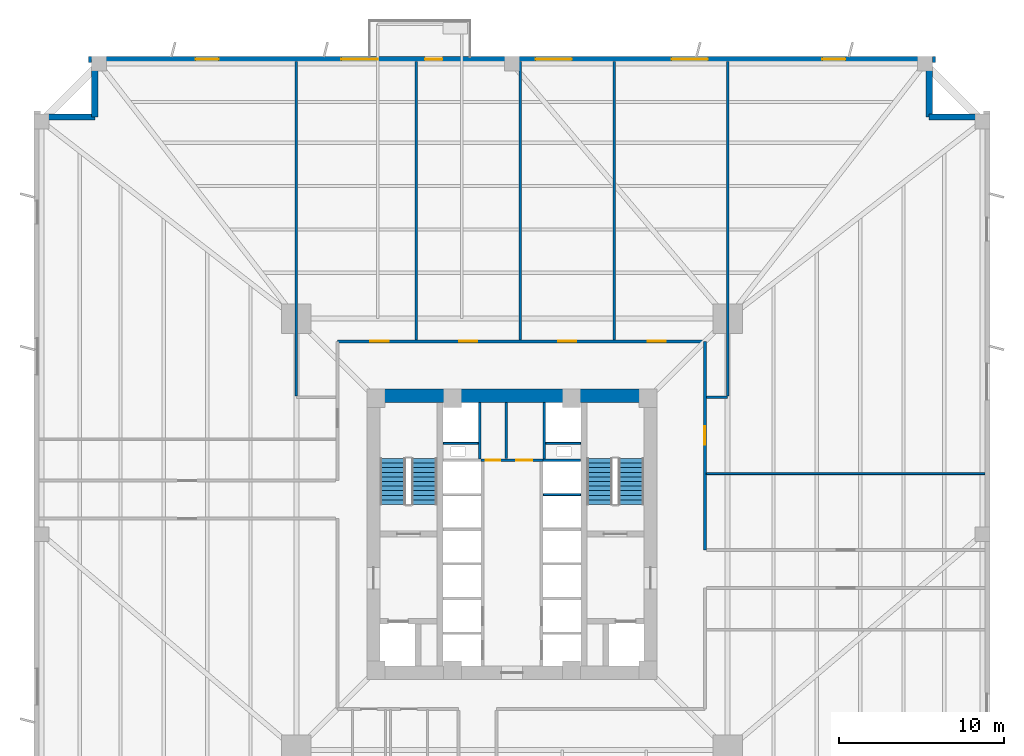
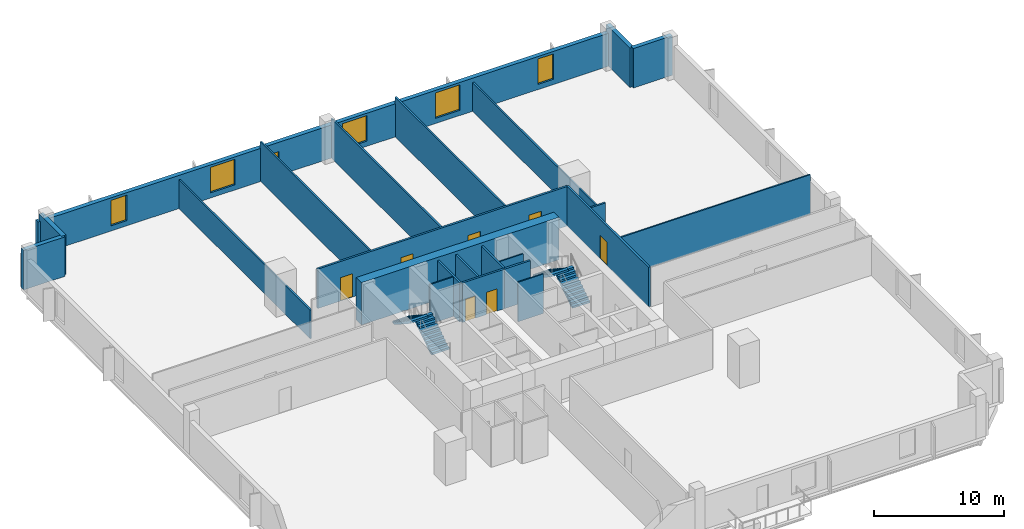
# One storey, part 4 of 8: 23 walls, 8 doors, 5 windows, 4 stair flights, 13 openings, 2 elements without a shape of their own.
"""IFC4 building model written with IfcOpenShell, lengths in metres."""

from ifc_helpers import new_model, si_unit, direction, frame, frame_2d, origin, place, context, subcontext, project, spatial, polyline, rectangle, outline, extrude, source, transform, mapped, material, layer, layer_set, type_object, element, fill, aggregate, save


model = new_model("IFC4")

# Units and contexts
model_context = context("Model", 3, precision=1e-05, world=origin(), true_north=direction((0.0, 1.0)))
body_context = subcontext(model_context, "Body", "Model", "MODEL_VIEW")
ifc_project = project(units=[si_unit("LENGTHUNIT", "METRE"), si_unit("AREAUNIT", "SQUARE_METRE"), si_unit("VOLUMEUNIT", "CUBIC_METRE"), si_unit("PLANEANGLEUNIT", "RADIAN"), si_unit("MASSUNIT", "GRAM", prefix="KILO"), si_unit("THERMODYNAMICTEMPERATUREUNIT", "KELVIN")], contexts=[model_context])

# Site, building, storey
site_placement = place(None, origin())
site = spatial("IfcSite", under=ifc_project, at=site_placement, CompositionType="ELEMENT")
building_placement = place(site_placement, origin())
building = spatial("IfcBuilding", under=site, at=building_placement, Name="Kosmvard Interchange Tower", CompositionType="ELEMENT")
storey_placement = place(building_placement, frame((0.0, 0.0, 38.0)))
storey = spatial("IfcBuildingStorey", under=building, at=storey_placement, Name="L08", CompositionType="ELEMENT", Elevation=38.0)

# Walls
ifc_material_1 = material(Name="Acoustic gypsum partition system")
ifc_layer_1 = layer(ifc_material_1, 0.14990234375, Name="Acoustic gypsum partition system")
ifc_layer_set_1 = layer_set([ifc_layer_1], Name="Acoustic gypsum partition system")
wall_type_1 = type_object("IfcWallType", Name="Acoustic Suite & Meeting Partition 150", PredefinedType="PARTITIONING", material=ifc_layer_set_1)
wall_1_placement = place(storey_placement, frame((-13.0810546875, 8.375, 0.0), z_axis=(0.0, 0.0, 1.0), x_axis=(0.0, 1.0, 0.0)))
element("IfcWall", 1, at=wall_1_placement, inside=storey, type_object=wall_type_1, Name="L08 Room Partition 02.1", PredefinedType="PARTITIONING", context=body_context, shape_type="SweptSolid", body=[
    extrude(rectangle(XDim=20.31005859375, YDim=0.14990234375, at=frame_2d((10.155029296875, 0.0))), origin(), (0.0, 0.0, 1.0), 2.7119140625),
])
for number, where, z_axis, x_axis, name in (
    (2, (-5.800048828125, 11.794921875, 0.0), (0.0, 0.0, 1.0), (0.0, 1.0, 0.0), "L08 Room Partition 03.1"),
    (3, (0.5, 11.794921875, 0.0), (0.0, 0.0, 1.0), (0.0, 1.0, 0.0), "L08 Room Partition 04.1"),
    (4, (6.199951171875, 11.794921875, 0.0), (0.0, 0.0, 1.0), (0.0, 1.0, 0.0), "L08 Room Partition 05.1"),
):
    element("IfcWall", number, at=place(storey_placement, frame(where, z_axis=z_axis, x_axis=x_axis)), inside=storey, type_object=wall_type_1, Name=name, PredefinedType="PARTITIONING", context=body_context, shape_type="SweptSolid", body=[
        extrude(rectangle(XDim=16.89013671875, YDim=0.14990234375, at=frame_2d((8.445068359375, 0.0))), origin(), (0.0, 0.0, 1.0), 3.719970703125),
    ])
wall_2_placement = place(storey_placement, frame((11.794921875, 8.300048828125, 0.0), z_axis=(0.0, 0.0, 1.0), x_axis=(1.0, 0.0, 0.0)))
element("IfcWall", 5, at=wall_2_placement, inside=storey, type_object=wall_type_1, Name="L08 Room Partition 06.1", PredefinedType="PARTITIONING", context=body_context, shape_type="SweptSolid", body=[
    extrude(rectangle(XDim=1.2861328125, YDim=0.14990234375, at=frame_2d((0.64306640625, 0.0))), origin(), (0.0, 0.0, 1.0), 3.719970703125),
])
wall_3_placement = place(storey_placement, frame((13.0810546875, 8.375, 0.0), z_axis=(0.0, 0.0, 1.0), x_axis=(0.0, 1.0, 0.0)))
element("IfcWall", 6, at=wall_3_placement, inside=storey, type_object=wall_type_1, Name="L08 Room Partition 07.1", PredefinedType="PARTITIONING", context=body_context, shape_type="SweptSolid", body=[
    extrude(rectangle(XDim=20.31005859375, YDim=0.14990234375, at=frame_2d((10.155029296875, 0.0))), origin(), (0.0, 0.0, 1.0), 2.7119140625),
])
ifc_material_2 = material(Name="Fire-rated gypsum partition system")
ifc_layer_2 = layer(ifc_material_2, 0.159912109375, Name="Fire-rated gypsum partition system")
ifc_layer_set_2 = layer_set([ifc_layer_2], Name="Fire-rated gypsum partition system")
wall_type_2 = type_object("IfcWallType", Name="Core Compartment & Shuttle Lobby Partition 160", PredefinedType="PARTITIONING", material=ifc_layer_set_2)
for number, where, z_axis, x_axis, name in (
    (7, (-1.9599609375, 4.580078125, 0.0), (0.0, 0.0, 1.0), (0.0, 1.0, 0.0), "L08 North Core West Wall"),
    (8, (1.9599609375, 4.580078125, 0.0), (0.0, 0.0, 1.0), (0.0, 1.0, 0.0), "L08 North Core East Wall"),
):
    element("IfcWall", number, at=place(storey_placement, frame(where, z_axis=z_axis, x_axis=x_axis)), inside=storey, type_object=wall_type_2, Name=name, PredefinedType="PARTITIONING", context=body_context, shape_type="SweptSolid", body=[
        extrude(rectangle(XDim=3.39990234375, YDim=0.159912109375, at=frame_2d((1.699951171875, 0.0))), origin(), (0.0, 0.0, 1.0), 3.719970703125),
    ])
ifc_material_3 = material(Name="Concrete blockwork masonry", Category="masonry")
ifc_layer_3 = layer(ifc_material_3, 0.159912109375, Name="Concrete blockwork masonry")
ifc_layer_set_3 = layer_set([ifc_layer_3], Name="Concrete blockwork masonry")
wall_type_3 = type_object("IfcWallType", Name="Core Enclosure Split Wall 160", PredefinedType="PARTITIONING", material=ifc_layer_set_3)
wall_4_placement = place(storey_placement, frame((-0.35009765625, 4.60009765625, 0.0), z_axis=(0.0, 0.0, 1.0), x_axis=(0.0, 1.0, 0.0)))
element("IfcWall", 9, at=wall_4_placement, inside=storey, type_object=wall_type_3, Name="L08 Core K2 Split Wall", PredefinedType="PARTITIONING", context=body_context, shape_type="SweptSolid", body=[
    extrude(rectangle(XDim=3.3798828125, YDim=0.159912109375, at=frame_2d((1.68994140625, 0.0))), origin(), (0.0, 0.0, 1.0), 3.719970703125),
])

# Wall, openings, doors
ifc_layer_4 = layer(ifc_material_2, 0.179931640625, Name="Fire-rated gypsum partition system")
ifc_layer_set_4 = layer_set([ifc_layer_4], Name="Fire-rated gypsum partition system")
wall_type_4 = type_object("IfcWallType", Name="Corridor & Hotel Compartment Partition 180", PredefinedType="PARTITIONING", material=ifc_layer_set_4)
wall_5_placement = place(storey_placement, frame((-1.8798828125, 4.489990234375, 0.0), z_axis=(0.0, 0.0, 1.0), x_axis=(1.0, 0.0, 0.0)))
wall_5 = element("IfcWall", 10, at=wall_5_placement, inside=storey, type_object=wall_type_4, Name="L08 Lift Lobby North Partition", PredefinedType="PARTITIONING", context=body_context, shape_type="SweptSolid", body=[
    extrude(rectangle(XDim=3.759765625, YDim=0.179931640625, at=frame_2d((1.8798828125, 0.0))), origin(), (0.0, 0.0, 1.0), 3.719970703125),
])
opening_1_placement = place(wall_5_placement, frame((0.280029296875, 0.0, 0.0)))
opening_1 = element("IfcOpeningElement", 11, at=opening_1_placement, cuts=wall_5, Name="Opening L08-KD1", PredefinedType="OPENING", context=body_context, shape_type="SweptSolid", body=[
    extrude(rectangle(XDim=0.8798828125, YDim=2.10009765625, at=frame_2d((0.43994140625, 1.050048828125))), frame((0.0, 0.10009765625, 0.0), z_axis=(0.0, -1.0, 0.0), x_axis=(1.0, 0.0, 0.0)), (0.0, 0.0, 1.0), 0.199951171875),
])
opening_2_placement = place(wall_5_placement, frame((2.14990234375, 0.0, 0.0)))
opening_2 = element("IfcOpeningElement", 12, at=opening_2_placement, cuts=wall_5, Name="Opening L08-KD2", PredefinedType="OPENING", context=body_context, shape_type="SweptSolid", body=[
    extrude(rectangle(XDim=0.949951171875, YDim=2.10009765625, at=frame_2d((0.47509765625, 1.050048828125))), frame((0.0, 0.10009765625, 0.0), z_axis=(0.0, -1.0, 0.0), x_axis=(1.0, 0.0, 0.0)), (0.0, 0.0, 1.0), 0.199951171875),
])
ifc_material_4 = material(Name="Painted fire-rated timber leaf", Category="wood")
door_type_1 = type_object("IfcDoorType", Name="Core Service Fire Door 950x2100 EI30", OperationType="NOTDEFINED", PredefinedType="DOOR", material=ifc_material_4)
shared_shape_1 = source(origin(), body_context, "Body", "SweptSolid", [
    extrude(rectangle(XDim=0.949951171875, YDim=2.10009765625, at=frame_2d((0.47509765625, 1.050048828125))), frame((0.0, 0.02490234375, 0.0), z_axis=(0.0, -1.0, 0.0), x_axis=(1.0, 0.0, 0.0)), (0.0, 0.0, 1.0), 0.050048828125),
])
door_1_placement = place(opening_2_placement, origin())
door_1 = element("IfcDoor", 13, at=door_1_placement, inside=storey, type_object=door_type_1, Name="L08 Core Tea Pantry Door", OperationType="SINGLE_SWING_RIGHT", OverallHeight=2.10009765625, OverallWidth=0.949951171875, PredefinedType="DOOR", context=body_context, shape_type="MappedRepresentation", body=[
    mapped(shared_shape_1, transform((0.0, 0.0, 0.0), scale=1.0)),
])
fill(opening_2, door_1)
door_type_2 = type_object("IfcDoorType", Name="Core Cupboard Fire Door 880x2100 EI30", OperationType="NOTDEFINED", PredefinedType="DOOR", material=ifc_material_4)
shared_shape_2 = source(origin(), body_context, "Body", "SweptSolid", [
    extrude(rectangle(XDim=0.8798828125, YDim=2.10009765625, at=frame_2d((0.43994140625, 1.050048828125))), frame((0.0, 0.02490234375, 0.0), z_axis=(0.0, -1.0, 0.0), x_axis=(1.0, 0.0, 0.0)), (0.0, 0.0, 1.0), 0.050048828125),
])
door_2_placement = place(opening_1_placement, origin())
door_2 = element("IfcDoor", 14, at=door_2_placement, inside=storey, type_object=door_type_2, Name="L08 Core Cleaner Cupboard Door", OperationType="SINGLE_SWING_LEFT", OverallHeight=2.10009765625, OverallWidth=0.8798828125, PredefinedType="DOOR", context=body_context, shape_type="MappedRepresentation", body=[
    mapped(shared_shape_2, transform((0.0, 0.0, 0.0), scale=1.0)),
])
fill(opening_1, door_2)

wall_6_placement = place(storey_placement, frame((-10.60009765625, 11.699951171875, 0.0), z_axis=(0.0, 0.0, 1.0), x_axis=(1.0, 0.0, 0.0)))
wall_6 = element("IfcWall", 15, at=wall_6_placement, inside=storey, type_object=wall_type_4, Name="L08 Corridor Wall CN", PredefinedType="PARTITIONING", context=body_context, shape_type="SweptSolid", body=[
    extrude(rectangle(XDim=22.300048828125, YDim=0.179931640625, at=frame_2d((11.14990234375, 0.0))), origin(), (0.0, 0.0, 1.0), 3.719970703125),
])
opening_3_placement = place(wall_6_placement, frame((2.014404296875, 0.0, 0.0)))
opening_3 = element("IfcOpeningElement", 16, at=opening_3_placement, cuts=wall_6, Name="Opening L08-D05", PredefinedType="OPENING", context=body_context, shape_type="SweptSolid", body=[
    extrude(rectangle(XDim=1.10009765625, YDim=2.199951171875, at=frame_2d((0.550048828125, 1.10009765625))), frame((0.0, 0.10009765625, 0.0), z_axis=(0.0, -1.0, 0.0), x_axis=(1.0, 0.0, 0.0)), (0.0, 0.0, 1.0), 0.199951171875),
])
opening_4_placement = place(wall_6_placement, frame((7.39990234375, 0.0, 0.0)))
opening_4 = element("IfcOpeningElement", 17, at=opening_4_placement, cuts=wall_6, Name="Opening L08-D06", PredefinedType="OPENING", context=body_context, shape_type="SweptSolid", body=[
    extrude(rectangle(XDim=1.10009765625, YDim=2.199951171875, at=frame_2d((0.550048828125, 1.10009765625))), frame((0.0, 0.10009765625, 0.0), z_axis=(0.0, -1.0, 0.0), x_axis=(1.0, 0.0, 0.0)), (0.0, 0.0, 1.0), 0.199951171875),
])
opening_5_placement = place(wall_6_placement, frame((13.39990234375, 0.0, 0.0)))
opening_5 = element("IfcOpeningElement", 18, at=opening_5_placement, cuts=wall_6, Name="Opening L08-D07", PredefinedType="OPENING", context=body_context, shape_type="SweptSolid", body=[
    extrude(rectangle(XDim=1.10009765625, YDim=2.199951171875, at=frame_2d((0.550048828125, 1.10009765625))), frame((0.0, 0.10009765625, 0.0), z_axis=(0.0, -1.0, 0.0), x_axis=(1.0, 0.0, 0.0)), (0.0, 0.0, 1.0), 0.199951171875),
])
opening_6_placement = place(wall_6_placement, frame((18.83544921875, 0.0, 0.0)))
opening_6 = element("IfcOpeningElement", 19, at=opening_6_placement, cuts=wall_6, Name="Opening L08-D08", PredefinedType="OPENING", context=body_context, shape_type="SweptSolid", body=[
    extrude(rectangle(XDim=1.10009765625, YDim=2.199951171875, at=frame_2d((0.550048828125, 1.10009765625))), frame((0.0, 0.10009765625, 0.0), z_axis=(0.0, -1.0, 0.0), x_axis=(1.0, 0.0, 0.0)), (0.0, 0.0, 1.0), 0.199951171875),
])
ifc_material_5 = material(Name="Engineered oak fire-rated timber", Category="wood")
door_type_3 = type_object("IfcDoorType", Name="Office Suite Entrance Door 1100x2200 FD30S", OperationType="NOTDEFINED", PredefinedType="DOOR", material=ifc_material_5)
shared_shape_3 = source(origin(), body_context, "Body", "SweptSolid", [
    extrude(rectangle(XDim=1.10009765625, YDim=2.199951171875, at=frame_2d((0.550048828125, 1.10009765625))), frame((0.0, 0.02490234375, 0.0), z_axis=(0.0, -1.0, 0.0), x_axis=(1.0, 0.0, 0.0)), (0.0, 0.0, 1.0), 0.050048828125),
])
door_3_placement = place(opening_3_placement, origin())
door_3 = element("IfcDoor", 20, at=door_3_placement, inside=storey, type_object=door_type_3, Name="L08 North Cellular Office 3 Door", OperationType="SINGLE_SWING_LEFT", OverallHeight=2.199951171875, OverallWidth=1.10009765625, PredefinedType="DOOR", context=body_context, shape_type="MappedRepresentation", body=[
    mapped(shared_shape_3, transform((0.0, 0.0, 0.0), scale=1.0)),
])
fill(opening_3, door_3)
door_4_placement = place(opening_4_placement, origin())
door_4 = element("IfcDoor", 21, at=door_4_placement, inside=storey, type_object=door_type_3, Name="L08 North Cellular Office 4 Door", OperationType="SINGLE_SWING_RIGHT", OverallHeight=2.199951171875, OverallWidth=1.10009765625, PredefinedType="DOOR", context=body_context, shape_type="MappedRepresentation", body=[
    mapped(shared_shape_3, transform((0.0, 0.0, 0.0), scale=1.0)),
])
fill(opening_4, door_4)
door_5_placement = place(opening_5_placement, origin())
door_5 = element("IfcDoor", 22, at=door_5_placement, inside=storey, type_object=door_type_3, Name="L08 North Conference Room 1 Door", OperationType="SINGLE_SWING_LEFT", OverallHeight=2.199951171875, OverallWidth=1.10009765625, PredefinedType="DOOR", context=body_context, shape_type="MappedRepresentation", body=[
    mapped(shared_shape_3, transform((0.0, 0.0, 0.0), scale=1.0)),
])
fill(opening_5, door_5)
door_6_placement = place(opening_6_placement, origin())
door_6 = element("IfcDoor", 23, at=door_6_placement, inside=storey, type_object=door_type_3, Name="L08 North Conference Room 2 Door", OperationType="SINGLE_SWING_RIGHT", OverallHeight=2.199951171875, OverallWidth=1.10009765625, PredefinedType="DOOR", context=body_context, shape_type="MappedRepresentation", body=[
    mapped(shared_shape_3, transform((0.0, 0.0, 0.0), scale=1.0)),
])
fill(opening_6, door_6)

# Wall, opening, door
wall_7_placement = place(storey_placement, frame((11.699951171875, -0.949951171875, 0.0), z_axis=(0.0, 0.0, 1.0), x_axis=(0.0, 1.0, 0.0)))
wall_7 = element("IfcWall", 24, at=wall_7_placement, inside=storey, type_object=wall_type_4, Name="L08 Corridor Wall CEN", PredefinedType="PARTITIONING", context=body_context, shape_type="SweptSolid", body=[
    extrude(rectangle(XDim=12.64990234375, YDim=0.179931640625, at=frame_2d((6.324951171875, 0.0))), origin(), (0.0, 0.0, 1.0), 3.719970703125),
])
opening_7_placement = place(wall_7_placement, frame((6.387451171875, 0.0, 0.0)))
opening_7 = element("IfcOpeningElement", 25, at=opening_7_placement, cuts=wall_7, Name="Opening L08-D10", PredefinedType="OPENING", context=body_context, shape_type="SweptSolid", body=[
    extrude(rectangle(XDim=1.10009765625, YDim=2.199951171875, at=frame_2d((0.550048828125, 1.10009765625))), frame((0.0, 0.10009765625, 0.0), z_axis=(0.0, -1.0, 0.0), x_axis=(1.0, 0.0, 0.0)), (0.0, 0.0, 1.0), 0.199951171875),
])
door_7_placement = place(opening_7_placement, frame((1.10009765625, 0.0, 0.0), z_axis=(0.0, 0.0, 1.0), x_axis=(-1.0, 0.0, 0.0)))
door_7 = element("IfcDoor", 26, at=door_7_placement, inside=storey, type_object=door_type_3, Name="L08 East Corner Office 6 Door", OperationType="SINGLE_SWING_RIGHT", OverallHeight=2.199951171875, OverallWidth=1.10009765625, PredefinedType="DOOR", context=body_context, shape_type="MappedRepresentation", body=[
    mapped(shared_shape_3, transform((0.0, 0.0, 0.0), scale=1.0)),
])
fill(opening_7, door_7)

# Walls
ifc_material_6 = material(Name="Concrete C80/95", Category="concrete")
ifc_layer_5 = layer(ifc_material_6, 0.800048828125, Name="Concrete C80/95")
ifc_layer_set_5 = layer_set([ifc_layer_5], Name="Concrete C80/95")
wall_type_5 = type_object("IfcWallType", Name="Lower Core Shear Wall 800 C80/95", PredefinedType="SHEAR", material=ifc_layer_set_5)
wall_8_placement = place(storey_placement, frame((-8.800048828125, 8.39990234375, 0.0), z_axis=(0.0, 0.0, 1.0), x_axis=(1.0, 0.0, 0.0)))
element("IfcWall", 27, at=wall_8_placement, inside=storey, type_object=wall_type_5, Name="L08 Core Shear Wall CW-N", PredefinedType="SHEAR", context=body_context, shape_type="SweptSolid", body=[
    extrude(rectangle(XDim=17.60009765625, YDim=0.800048828125, at=frame_2d((8.800048828125, 0.0))), origin(), (0.0, 0.0, 1.0), 4.0),
])
ifc_material_7 = material(Name="Precast concrete C45/55", Category="concrete")
ifc_layer_6 = layer(ifc_material_7, 0.3798828125, Name="Precast concrete C45/55")
ifc_layer_set_6 = layer_set([ifc_layer_6], Name="Precast concrete C45/55")
wall_type_6 = type_object("IfcWallType", Name="Lower Tower Precast Pier Wall 380 C45/55", PredefinedType="STANDARD", material=ifc_layer_set_6)
wall_9_placement = place(storey_placement, frame((28.81005859375, 25.31005859375, 0.0), z_axis=(0.0, 0.0, 1.0), x_axis=(-1.0, 0.0, 0.0)))
element("IfcWall", 28, at=wall_9_placement, inside=storey, type_object=wall_type_6, Name="L08 Precast Facade Wall N-NE1", PredefinedType="STANDARD", context=body_context, shape_type="SweptSolid", body=[
    extrude(rectangle(XDim=3.5, YDim=0.3798828125, at=frame_2d((1.75, 0.0))), origin(), (0.0, 0.0, 1.0), 3.719970703125),
])
wall_10_placement = place(storey_placement, frame((25.31005859375, 25.31005859375, 0.0), z_axis=(0.0, 0.0, 1.0), x_axis=(0.0, 1.0, 0.0)))
element("IfcWall", 29, at=wall_10_placement, inside=storey, type_object=wall_type_6, Name="L08 Precast Facade Wall N-NE2", PredefinedType="STANDARD", context=body_context, shape_type="SweptSolid", body=[
    extrude(rectangle(XDim=3.68994140625, YDim=0.3798828125, at=frame_2d((1.844970703125, 0.0))), origin(), (0.0, 0.0, 1.0), 3.719970703125),
])

# Wall, openings, door, windows
wall_11_placement = place(storey_placement, frame((25.68994140625, 28.81005859375, 0.0), z_axis=(0.0, 0.0, 1.0), x_axis=(-1.0, 0.0, 0.0)))
wall_11 = element("IfcWall", 30, at=wall_11_placement, inside=storey, type_object=wall_type_6, Name="L08 Precast Facade Wall F-N", PredefinedType="STANDARD", context=body_context, shape_type="SweptSolid", body=[
    extrude(rectangle(XDim=51.3798828125, YDim=0.3798828125, at=frame_2d((25.68994140625, 0.0))), origin(), (0.0, 0.0, 1.0), 3.1201171875),
])
opening_8_placement = place(wall_11_placement, frame((29.9150390625, 0.0, 0.0)))
opening_8 = element("IfcOpeningElement", 31, at=opening_8_placement, cuts=wall_11, Name="Opening L08-BDE", PredefinedType="OPENING", context=body_context, shape_type="SweptSolid", body=[
    extrude(rectangle(XDim=1.050048828125, YDim=2.25, at=frame_2d((0.52490234375, 1.125))), frame((0.0, 0.199951171875, 0.0), z_axis=(0.0, -1.0, 0.0), x_axis=(1.0, 0.0, 0.0)), (0.0, 0.0, 1.0), 0.39990234375),
])
opening_9_placement = place(wall_11_placement, frame((5.465576171875, 0.0, 0.489990234375)))
opening_9 = element("IfcOpeningElement", 32, at=opening_9_placement, cuts=wall_11, Name="Opening L08-W09", PredefinedType="OPENING", context=body_context, shape_type="SweptSolid", body=[
    extrude(rectangle(XDim=1.39990234375, YDim=2.39990234375, at=frame_2d((0.699951171875, 1.199951171875))), frame((0.0, 0.199951171875, 0.0), z_axis=(0.0, -1.0, 0.0), x_axis=(1.0, 0.0, 0.0)), (0.0, 0.0, 1.0), 0.39990234375),
])
opening_10_placement = place(wall_11_placement, frame((13.80029296875, 0.0, 0.489990234375)))
opening_10 = element("IfcOpeningElement", 33, at=opening_10_placement, cuts=wall_11, Name="Opening L08-W10", PredefinedType="OPENING", context=body_context, shape_type="SweptSolid", body=[
    extrude(rectangle(XDim=2.199951171875, YDim=2.39990234375, at=frame_2d((1.10009765625, 1.199951171875))), frame((0.0, 0.199951171875, 0.0), z_axis=(0.0, -1.0, 0.0), x_axis=(1.0, 0.0, 0.0)), (0.0, 0.0, 1.0), 0.39990234375),
])
opening_11_placement = place(wall_11_placement, frame((22.0625, 0.0, 0.489990234375)))
opening_11 = element("IfcOpeningElement", 34, at=opening_11_placement, cuts=wall_11, Name="Opening L08-W11", PredefinedType="OPENING", context=body_context, shape_type="SweptSolid", body=[
    extrude(rectangle(XDim=2.199951171875, YDim=2.39990234375, at=frame_2d((1.10009765625, 1.199951171875))), frame((0.0, 0.199951171875, 0.0), z_axis=(0.0, -1.0, 0.0), x_axis=(1.0, 0.0, 0.0)), (0.0, 0.0, 1.0), 0.39990234375),
])
opening_12_placement = place(wall_11_placement, frame((33.83837890625, 0.0, 0.489990234375)))
opening_12 = element("IfcOpeningElement", 35, at=opening_12_placement, cuts=wall_11, Name="Opening L08-W12", PredefinedType="OPENING", context=body_context, shape_type="SweptSolid", body=[
    extrude(rectangle(XDim=2.199951171875, YDim=2.39990234375, at=frame_2d((1.10009765625, 1.199951171875))), frame((0.0, 0.199951171875, 0.0), z_axis=(0.0, -1.0, 0.0), x_axis=(1.0, 0.0, 0.0)), (0.0, 0.0, 1.0), 0.39990234375),
])
opening_13_placement = place(wall_11_placement, frame((43.48681640625, 0.0, 0.489990234375)))
opening_13 = element("IfcOpeningElement", 36, at=opening_13_placement, cuts=wall_11, Name="Opening L08-W13", PredefinedType="OPENING", context=body_context, shape_type="SweptSolid", body=[
    extrude(rectangle(XDim=1.39990234375, YDim=2.39990234375, at=frame_2d((0.699951171875, 1.199951171875))), frame((0.0, 0.199951171875, 0.0), z_axis=(0.0, -1.0, 0.0), x_axis=(1.0, 0.0, 0.0)), (0.0, 0.0, 1.0), 0.39990234375),
])
ifc_material_8 = material(Name="Anodised aluminium and safety glass", Category="aluminium")
door_type_4 = type_object("IfcDoorType", Name="Tree-Balcony Glazed Door 1050x2250", OperationType="NOTDEFINED", PredefinedType="DOOR", material=ifc_material_8)
shared_shape_4 = source(origin(), body_context, "Body", "SweptSolid", [
    extrude(rectangle(XDim=1.050048828125, YDim=2.25, at=frame_2d((0.52490234375, 1.125))), frame((0.0, 0.02490234375, 0.0), z_axis=(0.0, -1.0, 0.0), x_axis=(1.0, 0.0, 0.0)), (0.0, 0.0, 1.0), 0.050048828125),
])
door_8_placement = place(opening_8_placement, origin())
door_8 = element("IfcDoor", 37, at=door_8_placement, inside=storey, type_object=door_type_4, Name="L08 Tree-Balcony Door BAL-L08-NE", OperationType="SINGLE_SWING_LEFT", OverallHeight=2.25, OverallWidth=1.050048828125, PredefinedType="DOOR", context=body_context, shape_type="MappedRepresentation", body=[
    mapped(shared_shape_4, transform((0.0, 0.0, 0.0), scale=1.0)),
])
fill(opening_8, door_8)
ifc_material_9 = material(Name="Low-E solar-control double glazing", Category="glass")
window_type_1 = type_object("IfcWindowType", Name="Notched Corner Feature Window 1400x2400", PartitioningType="SINGLE_PANEL", PredefinedType="WINDOW", material=ifc_material_9)
shared_shape_5 = source(origin(), body_context, "Body", "SweptSolid", [
    extrude(rectangle(XDim=1.39990234375, YDim=2.39990234375, at=frame_2d((0.699951171875, 1.199951171875))), frame((0.0, 0.030029296875, 0.0), z_axis=(0.0, -1.0, 0.0), x_axis=(1.0, 0.0, 0.0)), (0.0, 0.0, 1.0), 0.06005859375),
])
window_1_placement = place(opening_9_placement, origin())
window_1 = element("IfcWindow", 38, at=window_1_placement, inside=storey, type_object=window_type_1, Name="L08 Facade Punched Window 09", OverallHeight=2.39990234375, OverallWidth=1.39990234375, PartitioningType="SINGLE_PANEL", PredefinedType="WINDOW", context=body_context, shape_type="MappedRepresentation", body=[
    mapped(shared_shape_5, transform((0.0, 0.0, 0.0), scale=1.0)),
])
fill(opening_9, window_1)
window_2_placement = place(opening_13_placement, origin())
window_2 = element("IfcWindow", 39, at=window_2_placement, inside=storey, type_object=window_type_1, Name="L08 Facade Punched Window 13", OverallHeight=2.39990234375, OverallWidth=1.39990234375, PartitioningType="SINGLE_PANEL", PredefinedType="WINDOW", context=body_context, shape_type="MappedRepresentation", body=[
    mapped(shared_shape_5, transform((0.0, 0.0, 0.0), scale=1.0)),
])
fill(opening_13, window_2)
window_type_2 = type_object("IfcWindowType", Name="Zone 1 Office Punched Window 2200x2400", PartitioningType="SINGLE_PANEL", PredefinedType="WINDOW", material=ifc_material_9)
shared_shape_6 = source(origin(), body_context, "Body", "SweptSolid", [
    extrude(rectangle(XDim=2.199951171875, YDim=2.39990234375, at=frame_2d((1.10009765625, 1.199951171875))), frame((0.0, 0.030029296875, 0.0), z_axis=(0.0, -1.0, 0.0), x_axis=(1.0, 0.0, 0.0)), (0.0, 0.0, 1.0), 0.06005859375),
])
window_3_placement = place(opening_10_placement, origin())
window_3 = element("IfcWindow", 40, at=window_3_placement, inside=storey, type_object=window_type_2, Name="L08 Facade Punched Window 10", OverallHeight=2.39990234375, OverallWidth=2.199951171875, PartitioningType="SINGLE_PANEL", PredefinedType="WINDOW", context=body_context, shape_type="MappedRepresentation", body=[
    mapped(shared_shape_6, transform((0.0, 0.0, 0.0), scale=1.0)),
])
fill(opening_10, window_3)
window_4_placement = place(opening_11_placement, origin())
window_4 = element("IfcWindow", 41, at=window_4_placement, inside=storey, type_object=window_type_2, Name="L08 Facade Punched Window 11", OverallHeight=2.39990234375, OverallWidth=2.199951171875, PartitioningType="SINGLE_PANEL", PredefinedType="WINDOW", context=body_context, shape_type="MappedRepresentation", body=[
    mapped(shared_shape_6, transform((0.0, 0.0, 0.0), scale=1.0)),
])
fill(opening_11, window_4)
window_5_placement = place(opening_12_placement, origin())
window_5 = element("IfcWindow", 42, at=window_5_placement, inside=storey, type_object=window_type_2, Name="L08 Facade Punched Window 12", OverallHeight=2.39990234375, OverallWidth=2.199951171875, PartitioningType="SINGLE_PANEL", PredefinedType="WINDOW", context=body_context, shape_type="MappedRepresentation", body=[
    mapped(shared_shape_6, transform((0.0, 0.0, 0.0), scale=1.0)),
])
fill(opening_12, window_5)

# Walls
wall_12_placement = place(storey_placement, frame((-25.31005859375, 28.81005859375, 0.0), z_axis=(0.0, 0.0, 1.0), x_axis=(0.0, -1.0, 0.0)))
element("IfcWall", 43, at=wall_12_placement, inside=storey, type_object=wall_type_6, Name="L08 Precast Facade Wall N-NW1", PredefinedType="STANDARD", context=body_context, shape_type="SweptSolid", body=[
    extrude(rectangle(XDim=3.5, YDim=0.3798828125, at=frame_2d((1.75, 0.0))), origin(), (0.0, 0.0, 1.0), 3.719970703125),
])
wall_13_placement = place(storey_placement, frame((-25.31005859375, 25.31005859375, 0.0), z_axis=(0.0, 0.0, 1.0), x_axis=(-1.0, 0.0, 0.0)))
element("IfcWall", 44, at=wall_13_placement, inside=storey, type_object=wall_type_6, Name="L08 Precast Facade Wall N-NW2", PredefinedType="STANDARD", context=body_context, shape_type="SweptSolid", body=[
    extrude(rectangle(XDim=3.68994140625, YDim=0.3798828125, at=frame_2d((1.844970703125, 0.0))), origin(), (0.0, 0.0, 1.0), 3.719970703125),
])
ifc_material_10 = material(Name="Gypsum board partition system")
ifc_layer_7 = layer(ifc_material_10, 0.1201171875, Name="Gypsum board partition system")
ifc_layer_set_7 = layer_set([ifc_layer_7], Name="Gypsum board partition system")
wall_type_7 = type_object("IfcWallType", Name="Office Cellular Partition 120", PredefinedType="PARTITIONING", material=ifc_layer_set_7)
wall_14_placement = place(storey_placement, frame((11.794921875, 3.675048828125, 0.0), z_axis=(0.0, 0.0, 1.0), x_axis=(1.0, 0.0, 0.0)))
element("IfcWall", 45, at=wall_14_placement, inside=storey, type_object=wall_type_7, Name="L08 Room Partition 09.1", PredefinedType="PARTITIONING", context=body_context, shape_type="SweptSolid", body=[
    extrude(rectangle(XDim=16.89013671875, YDim=0.1201171875, at=frame_2d((8.445068359375, 0.0))), origin(), (0.0, 0.0, 1.0), 3.719970703125),
])
ifc_layer_8 = layer(ifc_material_3, 0.179931640625, Name="Concrete blockwork masonry")
ifc_layer_set_8 = layer_set([ifc_layer_8], Name="Concrete blockwork masonry")
wall_type_8 = type_object("IfcWallType", Name="Riser & Lift Bank Divider Wall 180", PredefinedType="PARTITIONING", material=ifc_layer_set_8)
wall_15_placement = place(storey_placement, frame((1.889892578125, 4.489990234375, 0.0), z_axis=(0.0, 0.0, 1.0), x_axis=(1.0, 0.0, 0.0)))
element("IfcWall", 46, at=wall_15_placement, inside=storey, type_object=wall_type_8, Name="L08 East Bank Divider BD3", PredefinedType="PARTITIONING", context=body_context, shape_type="SweptSolid", body=[
    extrude(rectangle(XDim=2.280029296875, YDim=0.179931640625, at=frame_2d((1.14013671875, 0.0))), origin(), (0.0, 0.0, 1.0), 3.719970703125),
])
ifc_material_11 = material(Name="Fire-rated gypsum shaftwall system")
ifc_layer_9 = layer(ifc_material_11, 0.1201171875, Name="Fire-rated gypsum shaftwall system")
ifc_layer_set_9 = layer_set([ifc_layer_9], Name="Fire-rated gypsum shaftwall system")
wall_type_9 = type_object("IfcWallType", Name="Shaft & Riser Fire Partition 120 EI60", PredefinedType="PARTITIONING", material=ifc_layer_set_9)
wall_16_placement = place(storey_placement, frame((1.89990234375, 2.39990234375, 0.0), z_axis=(0.0, 0.0, 1.0), x_axis=(1.0, 0.0, 0.0)))
element("IfcWall", 47, at=wall_16_placement, inside=storey, type_object=wall_type_9, Name="L08 Shaft Divider PL-H3", PredefinedType="PARTITIONING", context=body_context, shape_type="SweptSolid", body=[
    extrude(rectangle(XDim=2.260009765625, YDim=0.1201171875, at=frame_2d((1.1298828125, 0.0))), origin(), (0.0, 0.0, 1.0), 3.719970703125),
])
for number, where, z_axis, x_axis, name in (
    (48, (-4.159912109375, 5.52001953125, 0.0), (0.0, 0.0, 1.0), (1.0, 0.0, 0.0), "L08 Riser Shaft Divider W"),
    (49, (2.06005859375, 5.52001953125, 0.0), (0.0, 0.0, 1.0), (1.0, 0.0, 0.0), "L08 Riser Shaft Divider E"),
):
    element("IfcWall", number, at=place(storey_placement, frame(where, z_axis=z_axis, x_axis=x_axis)), inside=storey, type_object=wall_type_9, Name=name, PredefinedType="PARTITIONING", context=body_context, shape_type="SweptSolid", body=[
        extrude(rectangle(XDim=2.099853515625, YDim=0.1201171875, at=frame_2d((1.0498046875, 0.0))), origin(), (0.0, 0.0, 1.0), 3.719970703125),
    ])

# Stair, stair flights
ifc_material_12 = material(Name="Concrete C50/60", Category="concrete")
stair_type = type_object("IfcStairType", Name="Dog-Leg Core Exit Stair H4000 C50/60", PredefinedType="HALF_TURN_STAIR", material=ifc_material_12)
stair_1_placement = place(storey_placement, origin())
stair_1 = element("IfcStair", 50, at=stair_1_placement, inside=storey, type_object=stair_type, Name="L08 Protected Exit Stair ST-1", PredefinedType="HALF_TURN_STAIR")
stair_flight_type = type_object("IfcStairFlightType", Name="Core Stair Flight W1550 H4000 C50/60", PredefinedType="STRAIGHT", material=ifc_material_12)
shared_shape_7 = source(origin(), body_context, "Body", "SweptSolid", [
    extrude(outline(polyline([(0.0, 0.0), (0.0, 0.181884765625), (0.280029296875, 0.181884765625), (0.280029296875, 0.363525390625), (0.56005859375, 0.363525390625), (0.56005859375, 0.54541015625), (0.840087890625, 0.54541015625), (0.840087890625, 0.727294921875), (1.1201171875, 0.727294921875), (1.1201171875, 0.9091796875), (1.39990234375, 0.9091796875), (1.39990234375, 1.0908203125), (1.679931640625, 1.0908203125), (1.679931640625, 1.272705078125), (1.9599609375, 1.272705078125), (1.9599609375, 1.45458984375), (2.239990234375, 1.45458984375), (2.239990234375, 1.636474609375), (2.52001953125, 1.636474609375), (2.52001953125, 1.818115234375), (2.800048828125, 1.818115234375), (2.800048828125, 2.0), (2.800048828125, 1.62744140625), (0.293701171875, 0.0), (0.0, 0.0)])), frame((0.0, 0.77490234375, 0.0), z_axis=(0.0, -1.0, 0.0), x_axis=(1.0, 0.0, 0.0)), (0.0, 0.0, 1.0), 1.550048828125),
])
stair_flight_1_placement = place(storey_placement, frame((-5.31494140625, 1.800048828125, 0.0), z_axis=(0.0, 0.0, 1.0), x_axis=(0.0, 1.0, 0.0)))
stair_flight_1 = element("IfcStairFlight", 51, at=stair_flight_1_placement, type_object=stair_flight_type, Name="ST-1 flight 1", NumberOfRisers=11, NumberOfTreads=10, PredefinedType="STRAIGHT", RiserHeight=0.181818182, TreadLength=0.28, context=body_context, shape_type="MappedRepresentation", body=[
    mapped(shared_shape_7, transform((0.0, 0.0, 0.0), scale=1.0)),
])
stair_flight_2_placement = place(storey_placement, frame((-7.22509765625, 4.60009765625, 2.0), z_axis=(0.0, 0.0, 1.0), x_axis=(0.0, -1.0, 0.0)))
stair_flight_2 = element("IfcStairFlight", 52, at=stair_flight_2_placement, type_object=stair_flight_type, Name="ST-1 flight 2", NumberOfRisers=11, NumberOfTreads=10, PredefinedType="STRAIGHT", RiserHeight=0.181818182, TreadLength=0.28, context=body_context, shape_type="MappedRepresentation", body=[
    mapped(shared_shape_7, transform((0.0, 0.0, 0.0), scale=1.0)),
])
aggregate(stair_1, [stair_flight_1, stair_flight_2])

stair_2_placement = place(storey_placement, origin())
stair_2 = element("IfcStair", 53, at=stair_2_placement, inside=storey, type_object=stair_type, Name="L08 Protected Exit Stair ST-2", PredefinedType="HALF_TURN_STAIR")
stair_flight_3_placement = place(storey_placement, frame((7.22509765625, 1.800048828125, 0.0), z_axis=(0.0, 0.0, 1.0), x_axis=(0.0, 1.0, 0.0)))
stair_flight_3 = element("IfcStairFlight", 54, at=stair_flight_3_placement, type_object=stair_flight_type, Name="ST-2 flight 1", NumberOfRisers=11, NumberOfTreads=10, PredefinedType="STRAIGHT", RiserHeight=0.181818182, TreadLength=0.28, context=body_context, shape_type="MappedRepresentation", body=[
    mapped(shared_shape_7, transform((0.0, 0.0, 0.0), scale=1.0)),
])
stair_flight_4_placement = place(storey_placement, frame((5.31494140625, 4.60009765625, 2.0), z_axis=(0.0, 0.0, 1.0), x_axis=(0.0, -1.0, 0.0)))
stair_flight_4 = element("IfcStairFlight", 55, at=stair_flight_4_placement, type_object=stair_flight_type, Name="ST-2 flight 2", NumberOfRisers=11, NumberOfTreads=10, PredefinedType="STRAIGHT", RiserHeight=0.181818182, TreadLength=0.28, context=body_context, shape_type="MappedRepresentation", body=[
    mapped(shared_shape_7, transform((0.0, 0.0, 0.0), scale=1.0)),
])
aggregate(stair_2, [stair_flight_3, stair_flight_4])

save(model, "model.ifc")
